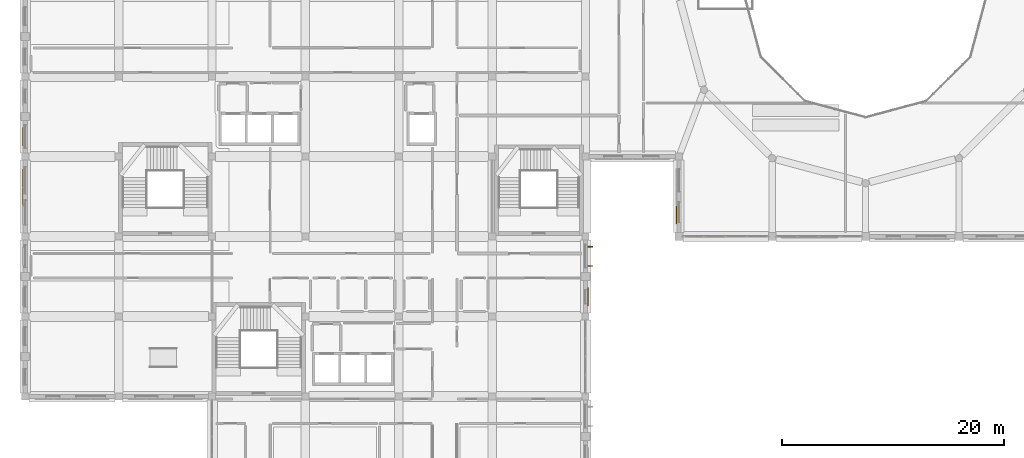
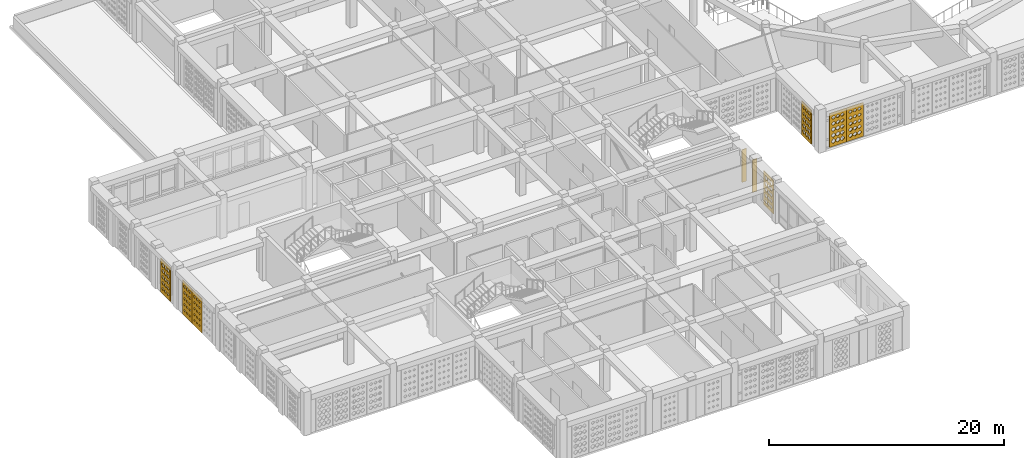
# One storey, part 58 of 79: 7 coverings, 2 shading devices.
"""IFC4 building model written with IfcOpenShell, lengths in metres."""

from ifc_helpers import new_model, si_unit, derived_unit, direction, frame, origin, origin_2d, place, context, subcontext, project, spatial, polyline, rectangle, outline, extrude, material, layer, layer_set, type_object, element, save


model = new_model("IFC4")

# Units and contexts
model_context = context("Model", 3, precision=1e-05, world=origin(), true_north=direction((0.0, 1.0)))
body_context = subcontext(model_context, "Body", "Model", "MODEL_VIEW")
ifc_project = project(units=[si_unit("LENGTHUNIT", "METRE"), si_unit("AREAUNIT", "SQUARE_METRE"), si_unit("VOLUMEUNIT", "CUBIC_METRE"), si_unit("PLANEANGLEUNIT", "RADIAN"), si_unit("MASSUNIT", "GRAM", prefix="KILO"), derived_unit("THERMALTRANSMITTANCEUNIT", [(si_unit("POWERUNIT", "WATT"), 1), (si_unit("LENGTHUNIT", "METRE"), -2), (si_unit("THERMODYNAMICTEMPERATUREUNIT", "KELVIN"), -1)])], contexts=[model_context])

# Site, building, storey
site_placement = place(None, origin())
site = spatial("IfcSite", under=ifc_project, at=site_placement, CompositionType="ELEMENT")
building_placement = place(site_placement, origin())
building = spatial("IfcBuilding", under=site, at=building_placement, Name="Veybourne Emporium", CompositionType="ELEMENT")
storey_placement = place(building_placement, frame((0.0, 0.0, 18.89990234375)))
storey = spatial("IfcBuildingStorey", under=building, at=storey_placement, Name="L04", CompositionType="ELEMENT", Elevation=18.89990234375)

# Shading devices
ifc_material_1 = material(Name="Patinated Architectural Bronze", Category="bronze")
shading_device_type = type_object("IfcShadingDeviceType", Name="SolarFin_FIN-02", PredefinedType="USERDEFINED", material=ifc_material_1)
for number, where, z_axis, x_axis, name in (
    (1, (50.81396484375, 27.89404296875, 0.125244140625), (0.0, 0.0, 1.0), (0.0, -1.0, 0.0), "L04 bronze brise-soleil fin FIN-02 (28A.1)"),
    (2, (50.81396484375, 26.15087890625, 0.125244140625), (0.0, 0.0, 1.0), (0.0, -1.0, 0.0), "L04 bronze brise-soleil fin FIN-02 (28A.2)"),
):
    element("IfcShadingDevice", number, at=place(storey_placement, frame(where, z_axis=z_axis, x_axis=x_axis)), inside=storey, type_object=shading_device_type, Name=name, ObjectType="FIN", PredefinedType="USERDEFINED", context=body_context, shape_type="SweptSolid", body=[
        extrude(rectangle(XDim=0.074951171875, YDim=0.449951171875, at=origin_2d()), origin(), (0.0, 0.0, 1.0), 3.3798828125),
    ])

# Coverings
ifc_material_2 = material(Name="Warm-White Perforated Aluminium Screen Alloy", Category="aluminium")
ifc_layer_1 = layer(ifc_material_2, 0.06005859375)
ifc_layer_set_1 = layer_set([ifc_layer_1], Name="Warm-White Perforated Aluminium Screen Alloy")
covering_type_1 = type_object("IfcCoveringType", Name="WaveScreen_SCR-01", PredefinedType="CLADDING", material=ifc_layer_set_1)
covering_1_placement = place(storey_placement, frame((62.159912109375, 28.70458984375, 1.815185546875), z_axis=(0.0, 1.0, 0.0), x_axis=(-1.0, 0.0, 0.0)))
element("IfcCovering", 3, at=covering_1_placement, inside=storey, type_object=covering_type_1, Name="L04 wave-perforated aluminium screen SCR-01 (33C.3)", PredefinedType="CLADDING", context=body_context, shape_type="SweptSolid", body=[
    extrude(outline(polyline([(-0.81982421875, -1.7548828125), (0.81982421875, -1.7548828125), (0.81982421875, 1.7548828125), (-0.81982421875, 1.7548828125), (-0.81982421875, -1.7548828125)]), holes=[polyline([(-0.433349609375, -1.027587890625), (-0.259521484375, -1.156005859375), (-0.259521484375, -1.300048828125), (-0.433349609375, -1.428466796875), (-0.607421875, -1.300048828125), (-0.607421875, -1.156005859375), (-0.433349609375, -1.027587890625)]), polyline([(-0.433349609375, -0.427734375), (-0.27099609375, -0.547119140625), (-0.27099609375, -0.680908203125), (-0.433349609375, -0.80029296875), (-0.595703125, -0.680908203125), (-0.595703125, -0.547119140625), (-0.433349609375, -0.427734375)]), polyline([(-0.433349609375, 0.172119140625), (-0.282470703125, 0.06201171875), (-0.282470703125, -0.06201171875), (-0.433349609375, -0.172119140625), (-0.584228515625, -0.06201171875), (-0.584228515625, 0.06201171875), (-0.433349609375, 0.172119140625)]), polyline([(-0.433349609375, 0.77294921875), (-0.29345703125, 0.671142578125), (-0.29345703125, 0.556884765625), (-0.433349609375, 0.455078125), (-0.5732421875, 0.556884765625), (-0.5732421875, 0.671142578125), (-0.433349609375, 0.77294921875)]), polyline([(-0.433349609375, 1.37451171875), (-0.303466796875, 1.28076171875), (-0.303466796875, 1.17529296875), (-0.433349609375, 1.08154296875), (-0.563232421875, 1.17529296875), (-0.563232421875, 1.28076171875), (-0.433349609375, 1.37451171875)]), polyline([(0.0, -1.021240234375), (0.17919921875, -1.153564453125), (0.17919921875, -1.302490234375), (0.0, -1.434814453125), (-0.17919921875, -1.302490234375), (-0.17919921875, -1.153564453125), (0.0, -1.021240234375)]), polyline([(0.0, -0.42138671875), (0.16748046875, -0.544677734375), (0.16748046875, -0.683349609375), (0.0, -0.806640625), (-0.16748046875, -0.683349609375), (-0.16748046875, -0.544677734375), (0.0, -0.42138671875)]), polyline([(0.0, 0.178466796875), (0.156005859375, 0.064208984375), (0.156005859375, -0.064208984375), (0.0, -0.178466796875), (-0.156005859375, -0.064208984375), (-0.156005859375, 0.064208984375), (0.0, 0.178466796875)]), polyline([(0.0, 0.77880859375), (0.14501953125, 0.67333984375), (0.14501953125, 0.5546875), (0.0, 0.44921875), (-0.14501953125, 0.5546875), (-0.14501953125, 0.67333984375), (0.0, 0.77880859375)]), polyline([(0.0, 1.3798828125), (0.13427734375, 1.28271484375), (0.13427734375, 1.17333984375), (0.0, 1.076171875), (-0.13427734375, 1.17333984375), (-0.13427734375, 1.28271484375), (0.0, 1.3798828125)]), polyline([(0.433349609375, -1.014892578125), (0.61767578125, -1.1513671875), (0.61767578125, -1.3046875), (0.433349609375, -1.441162109375), (0.2490234375, -1.3046875), (0.2490234375, -1.1513671875), (0.433349609375, -1.014892578125)]), polyline([(0.433349609375, -0.414794921875), (0.606201171875, -0.542236328125), (0.606201171875, -0.685791015625), (0.433349609375, -0.81298828125), (0.260498046875, -0.685791015625), (0.260498046875, -0.542236328125), (0.433349609375, -0.414794921875)]), polyline([(0.433349609375, 0.184814453125), (0.594482421875, 0.066650390625), (0.594482421875, -0.066650390625), (0.433349609375, -0.184814453125), (0.27197265625, -0.066650390625), (0.27197265625, 0.066650390625), (0.433349609375, 0.184814453125)]), polyline([(0.433349609375, 0.784912109375), (0.583251953125, 0.675537109375), (0.583251953125, 0.552490234375), (0.433349609375, 0.443115234375), (0.283447265625, 0.552490234375), (0.283447265625, 0.675537109375), (0.433349609375, 0.784912109375)]), polyline([(0.433349609375, 1.3857421875), (0.572265625, 1.284912109375), (0.572265625, 1.171142578125), (0.433349609375, 1.0703125), (0.294189453125, 1.171142578125), (0.294189453125, 1.284912109375), (0.433349609375, 1.3857421875)])]), origin(), (0.0, 0.0, 1.0), 0.06005859375),
])
ifc_layer_2 = layer(ifc_material_2, 0.06005859375)
ifc_layer_set_2 = layer_set([ifc_layer_2], Name="Warm-White Perforated Aluminium Screen Alloy")
covering_type_2 = type_object("IfcCoveringType", Name="WaveScreen_SCR-02", PredefinedType="CLADDING", material=ifc_layer_set_2)
covering_2_placement = place(storey_placement, frame((50.64794921875, 23.37744140625, 1.815185546875), z_axis=(-1.0, 0.0, 0.0), x_axis=(0.0, -1.0, 0.0)))
element("IfcCovering", 4, at=covering_2_placement, inside=storey, type_object=covering_type_2, Name="L04 wave-perforated aluminium screen SCR-02 (28B.1)", PredefinedType="CLADDING", context=body_context, shape_type="SweptSolid", body=[
    extrude(outline(polyline([(-0.81982421875, -1.7548828125), (0.81982421875, -1.7548828125), (0.81982421875, 1.7548828125), (-0.81982421875, 1.7548828125), (-0.81982421875, -1.7548828125)]), holes=[polyline([(-0.433349609375, -1.03515625), (-0.265625, -1.15869140625), (-0.265625, -1.29736328125), (-0.433349609375, -1.4208984375), (-0.60107421875, -1.29736328125), (-0.60107421875, -1.15869140625), (-0.433349609375, -1.03515625)]), polyline([(-0.433349609375, -0.406982421875), (-0.25390625, -0.53955078125), (-0.25390625, -0.6884765625), (-0.433349609375, -0.82080078125), (-0.612548828125, -0.6884765625), (-0.612548828125, -0.53955078125), (-0.433349609375, -0.406982421875)]), polyline([(-0.433349609375, 0.220703125), (-0.2470703125, 0.079345703125), (-0.2470703125, -0.079345703125), (-0.433349609375, -0.220703125), (-0.61962890625, -0.079345703125), (-0.61962890625, 0.079345703125), (-0.433349609375, 0.220703125)]), polyline([(-0.433349609375, 0.847412109375), (-0.2470703125, 0.697998046875), (-0.2470703125, 0.52978515625), (-0.433349609375, 0.380615234375), (-0.61962890625, 0.52978515625), (-0.61962890625, 0.697998046875), (-0.433349609375, 0.847412109375)]), polyline([(-0.433349609375, 1.47314453125), (-0.2470703125, 1.316162109375), (-0.2470703125, 1.139892578125), (-0.433349609375, 0.98291015625), (-0.61962890625, 1.139892578125), (-0.61962890625, 1.316162109375), (-0.433349609375, 1.47314453125)]), polyline([(0.0, -1.04150390625), (0.16259765625, -1.160888671875), (0.16259765625, -1.295166015625), (0.0, -1.414306640625), (-0.16259765625, -1.295166015625), (-0.16259765625, -1.160888671875), (0.0, -1.04150390625)]), polyline([(0.0, -0.413330078125), (0.174072265625, -0.541748046875), (0.174072265625, -0.686279296875), (0.0, -0.814697265625), (-0.174072265625, -0.686279296875), (-0.174072265625, -0.541748046875), (0.0, -0.413330078125)]), polyline([(0.0, 0.214599609375), (0.185546875, 0.0771484375), (0.185546875, -0.0771484375), (0.0, -0.214599609375), (-0.185546875, -0.0771484375), (-0.185546875, 0.0771484375), (0.0, 0.214599609375)]), polyline([(0.0, 0.841796875), (0.186279296875, 0.696044921875), (0.186279296875, 0.531982421875), (0.0, 0.38623046875), (-0.186279296875, 0.531982421875), (-0.186279296875, 0.696044921875), (0.0, 0.841796875)]), polyline([(0.0, 1.468017578125), (0.186279296875, 1.314453125), (0.186279296875, 1.1416015625), (0.0, 0.988037109375), (-0.186279296875, 1.1416015625), (-0.186279296875, 1.314453125), (0.0, 1.468017578125)]), polyline([(0.433349609375, -1.048095703125), (0.590576171875, -1.1630859375), (0.590576171875, -1.292724609375), (0.433349609375, -1.407958984375), (0.276123046875, -1.292724609375), (0.276123046875, -1.1630859375), (0.433349609375, -1.048095703125)]), polyline([(0.433349609375, -0.419921875), (0.602294921875, -0.544189453125), (0.602294921875, -0.683837890625), (0.433349609375, -0.80810546875), (0.264404296875, -0.683837890625), (0.264404296875, -0.544189453125), (0.433349609375, -0.419921875)]), polyline([(0.433349609375, 0.208251953125), (0.61376953125, 0.074951171875), (0.61376953125, -0.074951171875), (0.433349609375, -0.208251953125), (0.2529296875, -0.074951171875), (0.2529296875, 0.074951171875), (0.433349609375, 0.208251953125)]), polyline([(0.433349609375, 0.8359375), (0.61962890625, 0.69384765625), (0.61962890625, 0.5341796875), (0.433349609375, 0.39208984375), (0.2470703125, 0.5341796875), (0.2470703125, 0.69384765625), (0.433349609375, 0.8359375)]), polyline([(0.433349609375, 1.462646484375), (0.61962890625, 1.3125), (0.61962890625, 1.1435546875), (0.433349609375, 0.993408203125), (0.2470703125, 1.1435546875), (0.2470703125, 1.3125), (0.433349609375, 1.462646484375)])]), origin(), (0.0, 0.0, 1.0), 0.06005859375),
])
covering_3_placement = place(storey_placement, frame((60.47998046875, 28.70458984375, 1.815185546875), z_axis=(0.0, 1.0, 0.0), x_axis=(-1.0, 0.0, 0.0)))
element("IfcCovering", 5, at=covering_3_placement, inside=storey, type_object=covering_type_2, Name="L04 wave-perforated aluminium screen SCR-02 (33C.4)", PredefinedType="CLADDING", context=body_context, shape_type="SweptSolid", body=[
    extrude(outline(polyline([(-0.81982421875, -1.7548828125), (0.81982421875, -1.7548828125), (0.81982421875, 1.7548828125), (-0.81982421875, 1.7548828125), (-0.81982421875, -1.7548828125)]), holes=[polyline([(-0.433349609375, -1.00341796875), (-0.2470703125, -1.147216796875), (-0.2470703125, -1.308837890625), (-0.433349609375, -1.452392578125), (-0.61962890625, -1.308837890625), (-0.61962890625, -1.147216796875), (-0.433349609375, -1.00341796875)]), polyline([(-0.433349609375, -0.403076171875), (-0.250732421875, -0.5380859375), (-0.250732421875, -0.68994140625), (-0.433349609375, -0.824951171875), (-0.615966796875, -0.68994140625), (-0.615966796875, -0.5380859375), (-0.433349609375, -0.403076171875)]), polyline([(-0.433349609375, 0.197021484375), (-0.26220703125, 0.07080078125), (-0.26220703125, -0.07080078125), (-0.433349609375, -0.197021484375), (-0.6044921875, -0.07080078125), (-0.6044921875, 0.07080078125), (-0.433349609375, 0.197021484375)]), polyline([(-0.433349609375, 0.796875), (-0.273681640625, 0.6796875), (-0.273681640625, 0.548095703125), (-0.433349609375, 0.43115234375), (-0.593017578125, 0.548095703125), (-0.593017578125, 0.6796875), (-0.433349609375, 0.796875)]), polyline([(-0.433349609375, 1.39697265625), (-0.28515625, 1.288818359375), (-0.28515625, 1.167236328125), (-0.433349609375, 1.05908203125), (-0.58154296875, 1.167236328125), (-0.58154296875, 1.288818359375), (-0.433349609375, 1.39697265625)]), polyline([(0.0, -0.997802734375), (0.186279296875, -1.14501953125), (0.186279296875, -1.310791015625), (0.0, -1.458251953125), (-0.186279296875, -1.310791015625), (-0.186279296875, -1.14501953125), (0.0, -0.997802734375)]), polyline([(0.0, -0.396728515625), (0.186279296875, -0.535888671875), (0.186279296875, -0.692138671875), (0.0, -0.831298828125), (-0.186279296875, -0.692138671875), (-0.186279296875, -0.535888671875), (0.0, -0.396728515625)]), polyline([(0.0, 0.203369140625), (0.176513671875, 0.0732421875), (0.176513671875, -0.0732421875), (0.0, -0.203369140625), (-0.176513671875, -0.0732421875), (-0.176513671875, 0.0732421875), (0.0, 0.203369140625)]), polyline([(0.0, 0.80322265625), (0.164794921875, 0.68212890625), (0.164794921875, 0.5458984375), (0.0, 0.4248046875), (-0.164794921875, 0.5458984375), (-0.164794921875, 0.68212890625), (0.0, 0.80322265625)]), polyline([(0.0, 1.4033203125), (0.1533203125, 1.291015625), (0.1533203125, 1.164794921875), (0.0, 1.052734375), (-0.1533203125, 1.164794921875), (-0.1533203125, 1.291015625), (0.0, 1.4033203125)]), polyline([(0.433349609375, -0.9921875), (0.61962890625, -1.14306640625), (0.61962890625, -1.31298828125), (0.433349609375, -1.4638671875), (0.2470703125, -1.31298828125), (0.2470703125, -1.14306640625), (0.433349609375, -0.9921875)]), polyline([(0.433349609375, -0.390625), (0.61962890625, -0.53369140625), (0.61962890625, -0.6943359375), (0.433349609375, -0.83740234375), (0.2470703125, -0.6943359375), (0.2470703125, -0.53369140625), (0.433349609375, -0.390625)]), polyline([(0.433349609375, 0.209716796875), (0.614990234375, 0.075439453125), (0.614990234375, -0.075439453125), (0.433349609375, -0.209716796875), (0.251708984375, -0.075439453125), (0.251708984375, 0.075439453125), (0.433349609375, 0.209716796875)]), polyline([(0.433349609375, 0.809814453125), (0.603515625, 0.684326171875), (0.603515625, 0.543701171875), (0.433349609375, 0.418212890625), (0.26318359375, 0.543701171875), (0.26318359375, 0.684326171875), (0.433349609375, 0.809814453125)]), polyline([(0.433349609375, 1.409423828125), (0.591796875, 1.293212890625), (0.591796875, 1.16259765625), (0.433349609375, 1.04638671875), (0.27490234375, 1.16259765625), (0.27490234375, 1.293212890625), (0.433349609375, 1.409423828125)])]), origin(), (0.0, 0.0, 1.0), 0.06005859375),
])
ifc_layer_3 = layer(ifc_material_2, 0.06005859375)
ifc_layer_set_3 = layer_set([ifc_layer_3], Name="Warm-White Perforated Aluminium Screen Alloy")
covering_type_3 = type_object("IfcCoveringType", Name="WaveScreen_SCR-03", PredefinedType="CLADDING", material=ifc_layer_set_3)
covering_4_placement = place(storey_placement, frame((-0.248046875, 32.39990234375, 1.815185546875), z_axis=(1.0, 0.0, 0.0), x_axis=(0.0, 1.0, 0.0)))
element("IfcCovering", 6, at=covering_4_placement, inside=storey, type_object=covering_type_3, Name="L04 wave-perforated aluminium screen SCR-03 (4.2)", PredefinedType="CLADDING", context=body_context, shape_type="SweptSolid", body=[
    extrude(outline(polyline([(-0.81982421875, -1.7548828125), (0.81982421875, -1.7548828125), (0.81982421875, 1.7548828125), (-0.81982421875, 1.7548828125), (-0.81982421875, -1.7548828125)]), holes=[polyline([(-0.433349609375, -1.11669921875), (-0.332275390625, -1.18798828125), (-0.332275390625, -1.26806640625), (-0.433349609375, -1.33935546875), (-0.534423828125, -1.26806640625), (-0.534423828125, -1.18798828125), (-0.433349609375, -1.11669921875)]), polyline([(-0.433349609375, -0.4990234375), (-0.329345703125, -0.572509765625), (-0.329345703125, -0.655517578125), (-0.433349609375, -0.72900390625), (-0.537353515625, -0.655517578125), (-0.537353515625, -0.572509765625), (-0.433349609375, -0.4990234375)]), polyline([(-0.433349609375, 0.120849609375), (-0.324462890625, 0.04345703125), (-0.324462890625, -0.04345703125), (-0.433349609375, -0.120849609375), (-0.542236328125, -0.04345703125), (-0.542236328125, 0.04345703125), (-0.433349609375, 0.120849609375)]), polyline([(-0.433349609375, 0.742919921875), (-0.31787109375, 0.660400390625), (-0.31787109375, 0.567626953125), (-0.433349609375, 0.485107421875), (-0.548828125, 0.567626953125), (-0.548828125, 0.660400390625), (-0.433349609375, 0.742919921875)]), polyline([(-0.433349609375, 1.366943359375), (-0.309814453125, 1.278076171875), (-0.309814453125, 1.177978515625), (-0.433349609375, 1.089111328125), (-0.556884765625, 1.177978515625), (-0.556884765625, 1.278076171875), (-0.433349609375, 1.366943359375)]), polyline([(0.0, -1.115478515625), (0.102294921875, -1.1875), (0.102294921875, -1.2685546875), (0.0, -1.340576171875), (-0.102294921875, -1.2685546875), (-0.102294921875, -1.1875), (0.0, -1.115478515625)]), polyline([(0.0, -0.49658203125), (0.10595703125, -0.57177734375), (0.10595703125, -0.65625), (0.0, -0.7314453125), (-0.10595703125, -0.65625), (-0.10595703125, -0.57177734375), (0.0, -0.49658203125)]), polyline([(0.0, 0.124267578125), (0.11181640625, 0.044677734375), (0.11181640625, -0.044677734375), (0.0, -0.124267578125), (-0.11181640625, -0.044677734375), (-0.11181640625, 0.044677734375), (0.0, 0.124267578125)]), polyline([(0.0, 0.747314453125), (0.118896484375, 0.662109375), (0.118896484375, 0.56591796875), (0.0, 0.480712890625), (-0.118896484375, 0.56591796875), (-0.118896484375, 0.662109375), (0.0, 0.747314453125)]), polyline([(0.0, 1.371826171875), (0.127685546875, 1.27978515625), (0.127685546875, 1.17626953125), (0.0, 1.083984375), (-0.127685546875, 1.17626953125), (-0.127685546875, 1.27978515625), (0.0, 1.371826171875)]), polyline([(0.433349609375, -1.113525390625), (0.537109375, -1.186767578125), (0.537109375, -1.269287109375), (0.433349609375, -1.342529296875), (0.32958984375, -1.269287109375), (0.32958984375, -1.186767578125), (0.433349609375, -1.113525390625)]), polyline([(0.433349609375, -0.493896484375), (0.541748046875, -0.57080078125), (0.541748046875, -0.6572265625), (0.433349609375, -0.734130859375), (0.324951171875, -0.6572265625), (0.324951171875, -0.57080078125), (0.433349609375, -0.493896484375)]), polyline([(0.433349609375, 0.128173828125), (0.548095703125, 0.046142578125), (0.548095703125, -0.046142578125), (0.433349609375, -0.128173828125), (0.318603515625, -0.046142578125), (0.318603515625, 0.046142578125), (0.433349609375, 0.128173828125)]), polyline([(0.433349609375, 0.751953125), (0.55615234375, 0.66357421875), (0.55615234375, 0.564453125), (0.433349609375, 0.47607421875), (0.310546875, 0.564453125), (0.310546875, 0.66357421875), (0.433349609375, 0.751953125)]), polyline([(0.433349609375, 1.377197265625), (0.5654296875, 1.28173828125), (0.5654296875, 1.17431640625), (0.433349609375, 1.07861328125), (0.30126953125, 1.17431640625), (0.30126953125, 1.28173828125), (0.433349609375, 1.377197265625)])]), origin(), (0.0, 0.0, 1.0), 0.06005859375),
])
covering_5_placement = place(storey_placement, frame((-0.248046875, 37.777587890625, 1.815185546875), z_axis=(1.0, 0.0, 0.0), x_axis=(0.0, 1.0, 0.0)))
element("IfcCovering", 7, at=covering_5_placement, inside=storey, type_object=covering_type_3, Name="L04 wave-perforated aluminium screen SCR-03 (5A.1)", PredefinedType="CLADDING", context=body_context, shape_type="SweptSolid", body=[
    extrude(outline(polyline([(-0.81982421875, -1.7548828125), (0.81982421875, -1.7548828125), (0.81982421875, 1.7548828125), (-0.81982421875, 1.7548828125), (-0.81982421875, -1.7548828125)]), holes=[polyline([(-0.433349609375, -1.069580078125), (-0.293701171875, -1.1708984375), (-0.293701171875, -1.284912109375), (-0.433349609375, -1.38623046875), (-0.572998046875, -1.284912109375), (-0.572998046875, -1.1708984375), (-0.433349609375, -1.069580078125)]), polyline([(-0.433349609375, -0.4423828125), (-0.282958984375, -0.55224609375), (-0.282958984375, -0.67578125), (-0.433349609375, -0.78564453125), (-0.583740234375, -0.67578125), (-0.583740234375, -0.55224609375), (-0.433349609375, -0.4423828125)]), polyline([(-0.433349609375, 0.185546875), (-0.271484375, 0.06689453125), (-0.271484375, -0.06689453125), (-0.433349609375, -0.185546875), (-0.59521484375, -0.06689453125), (-0.59521484375, 0.06689453125), (-0.433349609375, 0.185546875)]), polyline([(-0.433349609375, 0.813720703125), (-0.260009765625, 0.685791015625), (-0.260009765625, 0.5419921875), (-0.433349609375, 0.414306640625), (-0.606689453125, 0.5419921875), (-0.606689453125, 0.685791015625), (-0.433349609375, 0.813720703125)]), polyline([(-0.433349609375, 1.441650390625), (-0.24853515625, 1.304931640625), (-0.24853515625, 1.151123046875), (-0.433349609375, 1.014404296875), (-0.6181640625, 1.151123046875), (-0.6181640625, 1.304931640625), (-0.433349609375, 1.441650390625)]), polyline([(0.0, -1.063720703125), (0.144287109375, -1.1689453125), (0.144287109375, -1.287109375), (0.0, -1.392333984375), (-0.144287109375, -1.287109375), (-0.144287109375, -1.1689453125), (0.0, -1.063720703125)]), polyline([(0.0, -0.43603515625), (0.155517578125, -0.5498046875), (0.155517578125, -0.677978515625), (0.0, -0.7919921875), (-0.155517578125, -0.677978515625), (-0.155517578125, -0.5498046875), (0.0, -0.43603515625)]), polyline([(0.0, 0.19189453125), (0.1669921875, 0.069091796875), (0.1669921875, -0.069091796875), (0.0, -0.19189453125), (-0.1669921875, -0.069091796875), (-0.1669921875, 0.069091796875), (0.0, 0.19189453125)]), polyline([(0.0, 0.8203125), (0.1787109375, 0.688232421875), (0.1787109375, 0.539794921875), (0.0, 0.40771484375), (-0.1787109375, 0.539794921875), (-0.1787109375, 0.688232421875), (0.0, 0.8203125)]), polyline([(0.0, 1.447998046875), (0.186279296875, 1.30712890625), (0.186279296875, 1.148681640625), (0.0, 1.008056640625), (-0.186279296875, 1.148681640625), (-0.186279296875, 1.30712890625), (0.0, 1.447998046875)]), polyline([(0.433349609375, -1.0576171875), (0.582763671875, -1.166748046875), (0.582763671875, -1.289306640625), (0.433349609375, -1.3984375), (0.283935546875, -1.289306640625), (0.283935546875, -1.166748046875), (0.433349609375, -1.0576171875)]), polyline([(0.433349609375, -0.4296875), (0.593994140625, -0.547607421875), (0.593994140625, -0.680419921875), (0.433349609375, -0.79833984375), (0.2724609375, -0.680419921875), (0.2724609375, -0.547607421875), (0.433349609375, -0.4296875)]), polyline([(0.433349609375, 0.198486328125), (0.605712890625, 0.071533203125), (0.605712890625, -0.071533203125), (0.433349609375, -0.198486328125), (0.260986328125, -0.071533203125), (0.260986328125, 0.071533203125), (0.433349609375, 0.198486328125)]), polyline([(0.433349609375, 0.826416015625), (0.6171875, 0.6904296875), (0.6171875, 0.53759765625), (0.433349609375, 0.401611328125), (0.24951171875, 0.53759765625), (0.24951171875, 0.6904296875), (0.433349609375, 0.826416015625)]), polyline([(0.433349609375, 1.453857421875), (0.61962890625, 1.309326171875), (0.61962890625, 1.146728515625), (0.433349609375, 1.002197265625), (0.2470703125, 1.146728515625), (0.2470703125, 1.309326171875), (0.433349609375, 1.453857421875)])]), origin(), (0.0, 0.0, 1.0), 0.06005859375),
])
ifc_layer_4 = layer(ifc_material_2, 0.06005859375)
ifc_layer_set_4 = layer_set([ifc_layer_4], Name="Warm-White Perforated Aluminium Screen Alloy")
covering_type_4 = type_object("IfcCoveringType", Name="WaveScreen_SCR-04", PredefinedType="CLADDING", material=ifc_layer_set_4)
covering_6_placement = place(storey_placement, frame((-0.248046875, 34.080078125, 1.815185546875), z_axis=(1.0, 0.0, 0.0), x_axis=(0.0, 1.0, 0.0)))
element("IfcCovering", 8, at=covering_6_placement, inside=storey, type_object=covering_type_4, Name="L04 wave-perforated aluminium screen SCR-04 (4.3)", PredefinedType="CLADDING", context=body_context, shape_type="SweptSolid", body=[
    extrude(outline(polyline([(-0.81982421875, -1.7548828125), (0.81982421875, -1.7548828125), (0.81982421875, 1.7548828125), (-0.81982421875, 1.7548828125), (-0.81982421875, -1.7548828125)]), holes=[polyline([(-0.433349609375, -1.10888671875), (-0.32568359375, -1.18505859375), (-0.32568359375, -1.27099609375), (-0.433349609375, -1.34716796875), (-0.541015625, -1.27099609375), (-0.541015625, -1.18505859375), (-0.433349609375, -1.10888671875)]), polyline([(-0.433349609375, -0.4873046875), (-0.319580078125, -0.568359375), (-0.319580078125, -0.65966796875), (-0.433349609375, -0.74072265625), (-0.547119140625, -0.65966796875), (-0.547119140625, -0.568359375), (-0.433349609375, -0.4873046875)]), polyline([(-0.433349609375, 0.13623046875), (-0.311767578125, 0.049072265625), (-0.311767578125, -0.049072265625), (-0.433349609375, -0.13623046875), (-0.554931640625, -0.049072265625), (-0.554931640625, 0.049072265625), (-0.433349609375, 0.13623046875)]), polyline([(-0.433349609375, 0.761474609375), (-0.302734375, 0.6669921875), (-0.302734375, 0.560791015625), (-0.433349609375, 0.466552734375), (-0.56396484375, 0.560791015625), (-0.56396484375, 0.6669921875), (-0.433349609375, 0.761474609375)]), polyline([(-0.433349609375, 1.387939453125), (-0.29248046875, 1.28564453125), (-0.29248046875, 1.17041015625), (-0.433349609375, 1.068115234375), (-0.57421875, 1.17041015625), (-0.57421875, 1.28564453125), (-0.433349609375, 1.387939453125)]), polyline([(0.0, -1.105712890625), (0.110107421875, -1.183837890625), (0.110107421875, -1.272216796875), (0.0, -1.350341796875), (-0.110107421875, -1.272216796875), (-0.110107421875, -1.183837890625), (0.0, -1.105712890625)]), polyline([(0.0, -0.483154296875), (0.1171875, -0.56689453125), (0.1171875, -0.6611328125), (0.0, -0.744873046875), (-0.1171875, -0.6611328125), (-0.1171875, -0.56689453125), (0.0, -0.483154296875)]), polyline([(0.0, 0.14111328125), (0.12548828125, 0.05078125), (0.12548828125, -0.05078125), (0.0, -0.14111328125), (-0.12548828125, -0.05078125), (-0.12548828125, 0.05078125), (0.0, 0.14111328125)]), polyline([(0.0, 0.76708984375), (0.13525390625, 0.669189453125), (0.13525390625, 0.558837890625), (0.0, 0.4609375), (-0.13525390625, 0.558837890625), (-0.13525390625, 0.669189453125), (0.0, 0.76708984375)]), polyline([(0.0, 1.39404296875), (0.145751953125, 1.287841796875), (0.145751953125, 1.168212890625), (0.0, 1.06201171875), (-0.145751953125, 1.168212890625), (-0.145751953125, 1.287841796875), (0.0, 1.39404296875)]), polyline([(0.433349609375, -1.10205078125), (0.54638671875, -1.1826171875), (0.54638671875, -1.2734375), (0.433349609375, -1.35400390625), (0.3203125, -1.2734375), (0.3203125, -1.1826171875), (0.433349609375, -1.10205078125)]), polyline([(0.433349609375, -0.478515625), (0.55419921875, -0.565185546875), (0.55419921875, -0.66259765625), (0.433349609375, -0.74951171875), (0.3125, -0.66259765625), (0.3125, -0.565185546875), (0.433349609375, -0.478515625)]), polyline([(0.433349609375, 0.146484375), (0.56298828125, 0.052734375), (0.56298828125, -0.052734375), (0.433349609375, -0.146484375), (0.3037109375, -0.052734375), (0.3037109375, 0.052734375), (0.433349609375, 0.146484375)]), polyline([(0.433349609375, 0.772705078125), (0.5732421875, 0.671142578125), (0.5732421875, 0.556884765625), (0.433349609375, 0.455078125), (0.29345703125, 0.556884765625), (0.29345703125, 0.671142578125), (0.433349609375, 0.772705078125)]), polyline([(0.433349609375, 1.400146484375), (0.584228515625, 1.2900390625), (0.584228515625, 1.166015625), (0.433349609375, 1.055908203125), (0.282470703125, 1.166015625), (0.282470703125, 1.2900390625), (0.433349609375, 1.400146484375)])]), origin(), (0.0, 0.0, 1.0), 0.06005859375),
])
covering_7_placement = place(storey_placement, frame((58.552001953125, 30.732421875, 1.815185546875), z_axis=(1.0, 0.0, 0.0), x_axis=(0.0, 1.0, 0.0)))
element("IfcCovering", 9, at=covering_7_placement, inside=storey, type_object=covering_type_4, Name="L04 wave-perforated aluminium screen SCR-04 (34.1)", PredefinedType="CLADDING", context=body_context, shape_type="SweptSolid", body=[
    extrude(outline(polyline([(-0.81982421875, -1.7548828125), (0.81982421875, -1.7548828125), (0.81982421875, 1.7548828125), (-0.81982421875, 1.7548828125), (-0.81982421875, -1.7548828125)]), holes=[polyline([(-0.433349609375, -0.993408203125), (-0.2470703125, -1.1435546875), (-0.2470703125, -1.3125), (-0.433349609375, -1.462646484375), (-0.61962890625, -1.3125), (-0.61962890625, -1.1435546875), (-0.433349609375, -0.993408203125)]), polyline([(-0.433349609375, -0.39208984375), (-0.2470703125, -0.5341796875), (-0.2470703125, -0.69384765625), (-0.433349609375, -0.8359375), (-0.61962890625, -0.69384765625), (-0.61962890625, -0.5341796875), (-0.433349609375, -0.39208984375)]), polyline([(-0.433349609375, 0.208251953125), (-0.2529296875, 0.074951171875), (-0.2529296875, -0.074951171875), (-0.433349609375, -0.208251953125), (-0.61376953125, -0.074951171875), (-0.61376953125, 0.074951171875), (-0.433349609375, 0.208251953125)]), polyline([(-0.433349609375, 0.80810546875), (-0.264404296875, 0.683837890625), (-0.264404296875, 0.544189453125), (-0.433349609375, 0.419921875), (-0.602294921875, 0.544189453125), (-0.602294921875, 0.683837890625), (-0.433349609375, 0.80810546875)]), polyline([(-0.433349609375, 1.407958984375), (-0.27587890625, 1.292724609375), (-0.27587890625, 1.1630859375), (-0.433349609375, 1.048095703125), (-0.590576171875, 1.1630859375), (-0.590576171875, 1.292724609375), (-0.433349609375, 1.407958984375)]), polyline([(0.0, -0.9990234375), (0.186279296875, -1.1455078125), (0.186279296875, -1.310302734375), (0.0, -1.45703125), (-0.186279296875, -1.310302734375), (-0.186279296875, -1.1455078125), (0.0, -0.9990234375)]), polyline([(0.0, -0.398193359375), (0.186279296875, -0.536376953125), (0.186279296875, -0.691650390625), (0.0, -0.829833984375), (-0.186279296875, -0.691650390625), (-0.186279296875, -0.536376953125), (0.0, -0.398193359375)]), polyline([(0.0, 0.201904296875), (0.17529296875, 0.07275390625), (0.17529296875, -0.07275390625), (0.0, -0.201904296875), (-0.17529296875, -0.07275390625), (-0.17529296875, 0.07275390625), (0.0, 0.201904296875)]), polyline([(0.0, 0.8017578125), (0.16357421875, 0.681640625), (0.16357421875, 0.54638671875), (0.0, 0.42626953125), (-0.16357421875, 0.54638671875), (-0.16357421875, 0.681640625), (0.0, 0.8017578125)]), polyline([(0.0, 1.401611328125), (0.152099609375, 1.29052734375), (0.152099609375, 1.16552734375), (0.0, 1.05419921875), (-0.152099609375, 1.16552734375), (-0.152099609375, 1.29052734375), (0.0, 1.401611328125)]), polyline([(0.433349609375, -1.0048828125), (0.61962890625, -1.147705078125), (0.61962890625, -1.308349609375), (0.433349609375, -1.451171875), (0.2470703125, -1.308349609375), (0.2470703125, -1.147705078125), (0.433349609375, -1.0048828125)]), polyline([(0.433349609375, -0.404296875), (0.61474609375, -0.53857421875), (0.61474609375, -0.689453125), (0.433349609375, -0.823486328125), (0.251953125, -0.689453125), (0.251953125, -0.53857421875), (0.433349609375, -0.404296875)]), polyline([(0.433349609375, 0.195556640625), (0.603271484375, 0.0703125), (0.603271484375, -0.0703125), (0.433349609375, -0.195556640625), (0.263427734375, -0.0703125), (0.263427734375, 0.0703125), (0.433349609375, 0.195556640625)]), polyline([(0.433349609375, 0.79541015625), (0.591796875, 0.67919921875), (0.591796875, 0.548583984375), (0.433349609375, 0.4326171875), (0.27490234375, 0.548583984375), (0.27490234375, 0.67919921875), (0.433349609375, 0.79541015625)]), polyline([(0.433349609375, 1.3955078125), (0.580322265625, 1.288330078125), (0.580322265625, 1.167724609375), (0.433349609375, 1.060546875), (0.286376953125, 1.167724609375), (0.286376953125, 1.288330078125), (0.433349609375, 1.3955078125)])]), origin(), (0.0, 0.0, 1.0), 0.06005859375),
])

save(model, "model.ifc")
